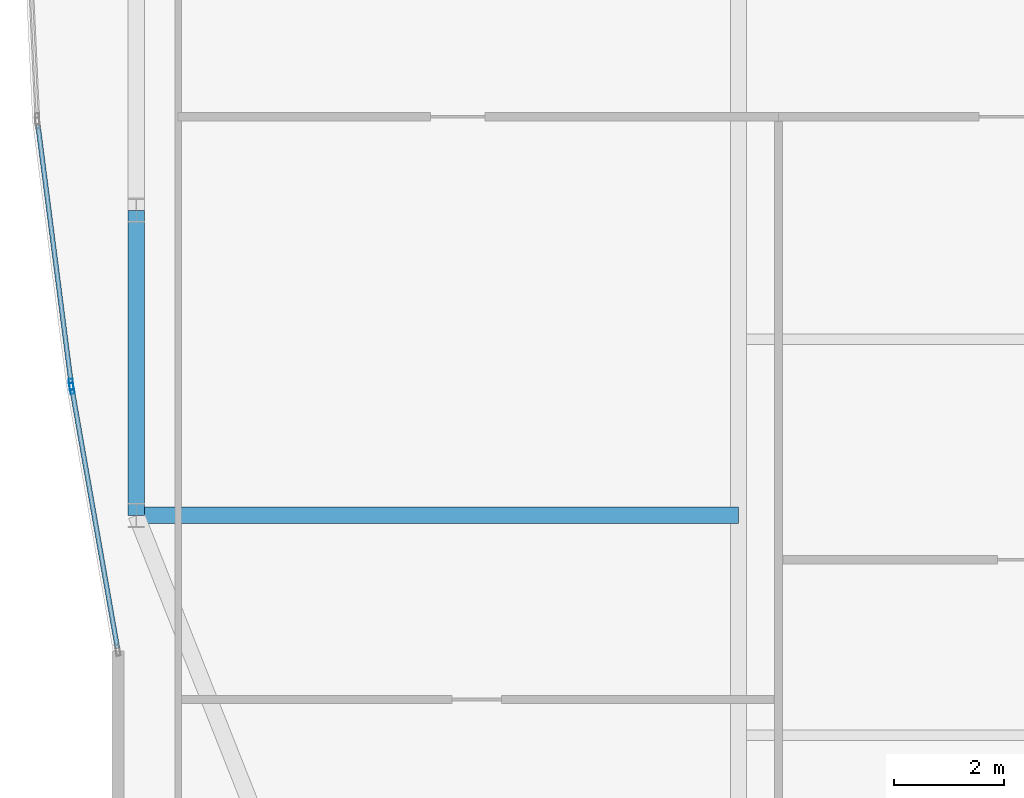
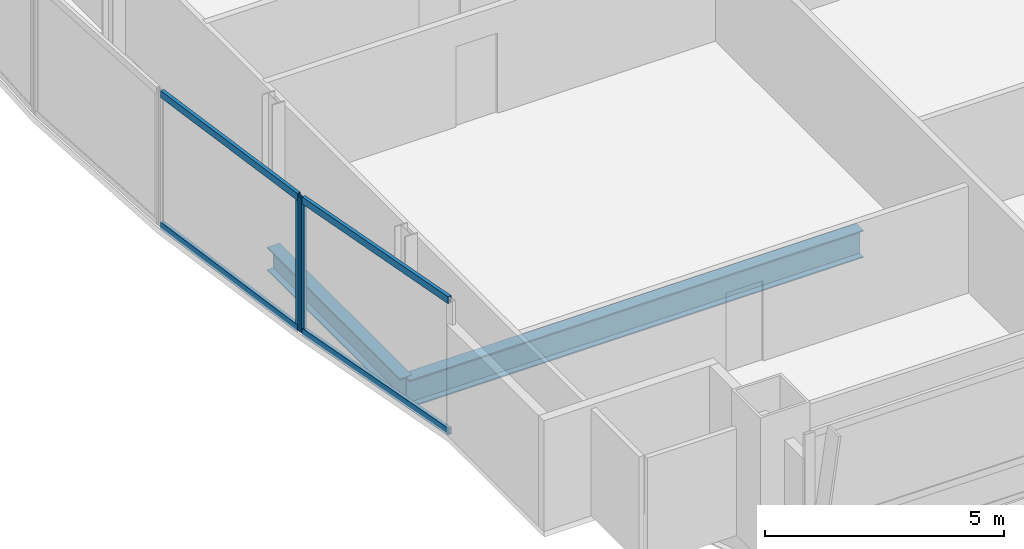
# One storey, part 6 of 30: 6 members, 2 beams, 2 elements without a shape of their own.
"""IFC4 building model written with IfcOpenShell, lengths in metres."""

from ifc_helpers import new_model, si_unit, direction, frame, origin, origin_2d, place, context, subcontext, project, spatial, hollow_rectangle, i_section, extrude, material, material_profile, profile_set, type_object, element, aggregate, save


model = new_model("IFC4")

# Units and contexts
model_context = context("Model", 3, precision=1e-05, world=origin(), true_north=direction((0.0, 1.0)))
body_context = subcontext(model_context, "Body", "Model", "MODEL_VIEW")
ifc_project = project(units=[si_unit("LENGTHUNIT", "METRE"), si_unit("AREAUNIT", "SQUARE_METRE"), si_unit("VOLUMEUNIT", "CUBIC_METRE"), si_unit("PLANEANGLEUNIT", "RADIAN"), si_unit("MASSUNIT", "GRAM", prefix="KILO")], contexts=[model_context])

# Site, building, storey
site_placement = place(None, origin())
site = spatial("IfcSite", under=ifc_project, at=site_placement, CompositionType="ELEMENT")
building_placement = place(site_placement, origin())
building = spatial("IfcBuilding", under=site, at=building_placement, Name="Khoronbel Lancet Exchange", CompositionType="ELEMENT")
storey_placement = place(building_placement, frame((0.0, 0.0, 203.0)))
storey = spatial("IfcBuildingStorey", under=building, at=storey_placement, Name="L51", CompositionType="ELEMENT", Elevation=203.0)

# Beams
ifc_material_1 = material(Name="Steel S355", Category="steel")
ifc_material_profile_1 = material_profile(ifc_material_1, i_section(OverallWidth=0.300048828125, OverallDepth=0.699951171875, WebThickness=0.01708984375, FlangeThickness=0.031982421875, at=origin_2d()), Name="HEB 700")
ifc_profile_set_1 = profile_set([ifc_material_profile_1], Name="Steel S355")
beam_type_1 = type_object("IfcBeamType", Name="BM-BG3", PredefinedType="BEAM", material=ifc_profile_set_1)
beam_1_placement = place(storey_placement, frame((7.27001953125, 19.199951171875, -0.510009765625), z_axis=(1.0, 0.0, 0.0), x_axis=(0.0, 1.0, 0.0)))
element("IfcBeam", 1, at=beam_1_placement, inside=storey, type_object=beam_type_1, Name="Level L51 west lens tie girder LG1W", PredefinedType="BEAM", context=body_context, shape_type="SweptSolid", body=[
    extrude(i_section(OverallWidth=0.300048828125, OverallDepth=0.699951171875, WebThickness=0.01708984375, FlangeThickness=0.031982421875, at=origin_2d()), origin(), (0.0, 0.0, 1.0), 10.955078125),
])
ifc_material_profile_2 = material_profile(ifc_material_1, i_section(OverallWidth=0.300048828125, OverallDepth=0.60009765625, WebThickness=0.015380859375, FlangeThickness=0.030029296875, at=origin_2d()), Name="HEB 600")
ifc_profile_set_2 = profile_set([ifc_material_profile_2], Name="Steel S355")
beam_type_2 = type_object("IfcBeamType", Name="BM-BSP2", PredefinedType="SPANDREL", material=ifc_profile_set_2)
beam_2_placement = place(storey_placement, frame((7.27001953125, 24.75, -0.4599609375), z_axis=(0.0, -1.0, 0.0), x_axis=(1.0, 0.0, 0.0)))
element("IfcBeam", 2, at=beam_2_placement, inside=storey, type_object=beam_type_2, Name="Level L51 perimeter spandrel beam SP20", PredefinedType="SPANDREL", context=body_context, shape_type="SweptSolid", body=[
    extrude(i_section(OverallWidth=0.300048828125, OverallDepth=0.60009765625, WebThickness=0.015380859375, FlangeThickness=0.030029296875, at=origin_2d()), origin(), (0.0, 0.0, 1.0), 5.550048828125),
])

# Curtain wall, member
ifc_material_2 = material(Name="Low-E Solar Control Insulating Glass", Category="glass")
curtain_wall_type = type_object("IfcCurtainWallType", Name="CW-4", PredefinedType="NOTDEFINED", material=ifc_material_2)
curtain_wall_1_placement = place(storey_placement, origin())
curtain_wall_1 = element("IfcCurtainWall", 3, at=curtain_wall_1_placement, inside=storey, type_object=curtain_wall_type, Name="Unitised curtain wall CW-L51-E04", PredefinedType="NOTDEFINED")
ifc_material_3 = material(Name="Bronze-Anodised Aluminium 6063-T6", Category="aluminium")
ifc_material_profile_3 = material_profile(ifc_material_3, hollow_rectangle(XDim=0.074951171875, YDim=0.199951171875, WallThickness=0.0048828125, at=origin_2d()), Name="ALU MULLION 75x200")
ifc_profile_set_3 = profile_set([ifc_material_profile_3], Name="Bronze-Anodised Aluminium 6063-T6")
member_type_1 = type_object("IfcMemberType", Name="MEM-CWM2", PredefinedType="MULLION", material=ifc_profile_set_3)
member_1_placement = place(storey_placement, frame((6.09716796875, 21.509765625, 0.0), z_axis=(0.0, 0.0, 1.0), x_axis=(-0.984944805954, -0.172869110092, 0.0)))
member_1 = element("IfcMember", 4, at=member_1_placement, type_object=member_type_1, Name="CW4 mullion 2", PredefinedType="MULLION", context=body_context, shape_type="SweptSolid", body=[
    extrude(hollow_rectangle(XDim=0.074951171875, YDim=0.199951171875, WallThickness=0.0048828125, at=origin_2d()), origin(), (0.0, 0.0, 1.0), 3.43994140625),
])

curtain_wall_2_placement = place(storey_placement, origin())
curtain_wall_2 = element("IfcCurtainWall", 5, at=curtain_wall_2_placement, inside=storey, type_object=curtain_wall_type, Name="Unitised curtain wall CW-L51-E05", PredefinedType="NOTDEFINED")
member_2_placement = place(storey_placement, frame((6.0859375, 21.583984375, 0.0), z_axis=(0.0, 0.0, 1.0), x_axis=(-0.991846611095, -0.127437435866, 0.0)))
member_2 = element("IfcMember", 6, at=member_2_placement, type_object=member_type_1, Name="CW4 mullion 1", PredefinedType="MULLION", context=body_context, shape_type="SweptSolid", body=[
    extrude(hollow_rectangle(XDim=0.074951171875, YDim=0.199951171875, WallThickness=0.0048828125, at=origin_2d()), origin(), (0.0, 0.0, 1.0), 3.43994140625),
])

# Member
ifc_material_profile_4 = material_profile(ifc_material_3, hollow_rectangle(XDim=0.0849609375, YDim=0.179931640625, WallThickness=0.0048828125, at=origin_2d()), Name="ALU TRANSOM 85x180")
ifc_profile_set_4 = profile_set([ifc_material_profile_4], Name="Bronze-Anodised Aluminium 6063-T6")
member_type_2 = type_object("IfcMemberType", Name="MEM-CWT1", PredefinedType="USERDEFINED", material=ifc_profile_set_4)
member_3_placement = place(storey_placement, frame((6.927001953125, 16.78173828125, 0.04248046875), z_axis=(-0.172846589287, 0.984948758348, 0.0), x_axis=(-0.984948758348, -0.172846589287, 0.0)))
member_3 = element("IfcMember", 7, at=member_3_placement, type_object=member_type_2, Name="CW4 transom 1.1", ObjectType="TRANSOM", PredefinedType="USERDEFINED", context=body_context, shape_type="SweptSolid", body=[
    extrude(hollow_rectangle(XDim=0.0849609375, YDim=0.179931640625, WallThickness=0.0048828125, at=origin_2d()), origin(), (0.0, 0.0, 1.0), 4.762939453125),
])

member_4_placement = place(storey_placement, frame((6.927001953125, 16.78173828125, 3.3974609375), z_axis=(-0.172846589287, 0.984948758348, 0.0), x_axis=(-0.984948758348, -0.172846589287, 0.0)))
member_4 = element("IfcMember", 8, at=member_4_placement, type_object=member_type_2, Name="CW4 transom 1.2", ObjectType="TRANSOM", PredefinedType="USERDEFINED", context=body_context, shape_type="SweptSolid", body=[
    extrude(hollow_rectangle(XDim=0.0849609375, YDim=0.179931640625, WallThickness=0.0048828125, at=origin_2d()), origin(), (0.0, 0.0, 1.0), 4.762939453125),
])

aggregate(curtain_wall_1, [member_1, member_3, member_4])

member_5_placement = place(storey_placement, frame((6.0810546875, 21.62109375, 0.04248046875), z_axis=(-0.12740974204, 0.991850168944, 0.0), x_axis=(-0.991850168944, -0.12740974204, 0.0)))
member_5 = element("IfcMember", 9, at=member_5_placement, type_object=member_type_2, Name="CW4 transom 1.1", ObjectType="TRANSOM", PredefinedType="USERDEFINED", context=body_context, shape_type="SweptSolid", body=[
    extrude(hollow_rectangle(XDim=0.0849609375, YDim=0.179931640625, WallThickness=0.0048828125, at=origin_2d()), origin(), (0.0, 0.0, 1.0), 4.717529296875),
])

member_6_placement = place(storey_placement, frame((6.0810546875, 21.62109375, 3.3974609375), z_axis=(-0.12740974204, 0.991850168944, 0.0), x_axis=(-0.991850168944, -0.12740974204, 0.0)))
member_6 = element("IfcMember", 10, at=member_6_placement, type_object=member_type_2, Name="CW4 transom 1.2", ObjectType="TRANSOM", PredefinedType="USERDEFINED", context=body_context, shape_type="SweptSolid", body=[
    extrude(hollow_rectangle(XDim=0.0849609375, YDim=0.179931640625, WallThickness=0.0048828125, at=origin_2d()), origin(), (0.0, 0.0, 1.0), 4.717529296875),
])

aggregate(curtain_wall_2, [member_2, member_5, member_6])

save(model, "model.ifc")
